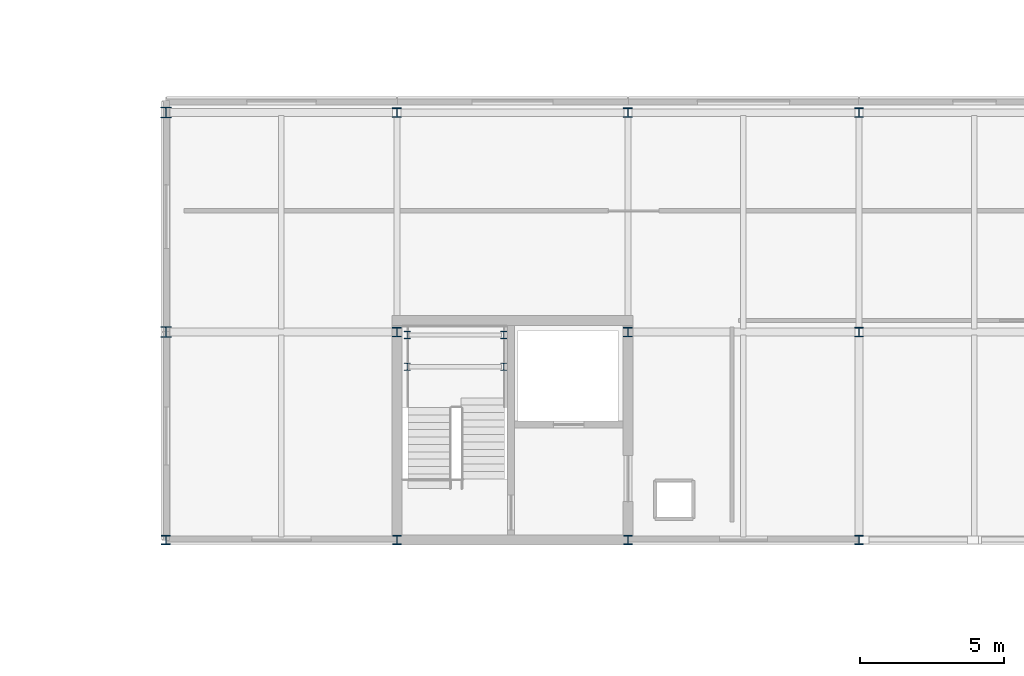
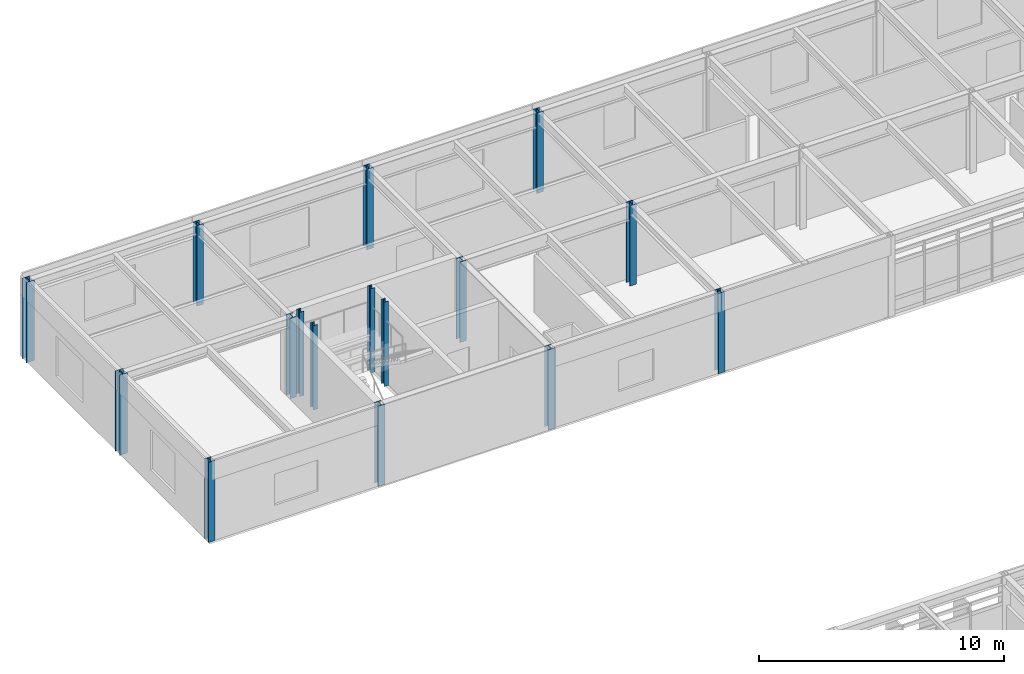
# One storey, part 4 of 45: 16 columns.
"""IFC4 building model written with IfcOpenShell, lengths in metres."""

from ifc_helpers import new_model, si_unit, direction, frame, origin, origin_2d, place, context, subcontext, project, spatial, i_section, extrude, material, material_profile, profile_set, type_object, element, save


model = new_model("IFC4")

# Units and contexts
model_context = context("Model", 3, precision=1e-05, world=origin(), true_north=direction((0.0, 1.0)))
body_context = subcontext(model_context, "Body", "Model", "MODEL_VIEW")
ifc_project = project(units=[si_unit("LENGTHUNIT", "METRE"), si_unit("AREAUNIT", "SQUARE_METRE"), si_unit("VOLUMEUNIT", "CUBIC_METRE"), si_unit("PLANEANGLEUNIT", "RADIAN"), si_unit("MASSUNIT", "GRAM", prefix="KILO")], contexts=[model_context])

# Site, building, storey
site_placement = place(None, origin())
site = spatial("IfcSite", under=ifc_project, at=site_placement, CompositionType="ELEMENT")
building_placement = place(site_placement, origin())
building = spatial("IfcBuilding", under=site, at=building_placement, Name="Zulena Civic Courthouse", CompositionType="ELEMENT")
storey_placement = place(building_placement, frame((0.0, 0.0, 29.39990234375)))
storey = spatial("IfcBuildingStorey", under=building, at=storey_placement, Name="L06", CompositionType="ELEMENT", Elevation=29.39990234375)

# Columns
ifc_material = material(Name="Steel ASTM A992 Grade 50", Category="steel")
ifc_material_profile_1 = material_profile(ifc_material, i_section(OverallWidth=0.2041015625, OverallDepth=0.257080078125, WebThickness=0.0087890625, FlangeThickness=0.015625, FilletRadius=0.0126953125, at=origin_2d()), Name="W10X45")
ifc_profile_set_1 = profile_set([ifc_material_profile_1], Name="Steel ASTM A992 Grade 50")
column_type_1 = type_object("IfcColumnType", Name="Col_W10X45", PredefinedType="COLUMN", material=ifc_profile_set_1)
for number, where, z_axis, x_axis, name in (
    (1, (20.360107421875, 52.0, 0.0), (0.0, 0.0, 1.0), (1.0, 0.0, 0.0), "col:lnd:K5A:L06:0:0"),
    (2, (23.699951171875, 52.0, 0.0), (0.0, 0.0, 1.0), (1.0, 0.0, 0.0), "col:lnd:K5A:L06:0:1"),
    (3, (20.360107421875, 53.10009765625, 0.0), (0.0, 0.0, 1.0), (1.0, 0.0, 0.0), "col:lnd:K5A:L06:1:0"),
    (4, (23.699951171875, 53.10009765625, 0.0), (0.0, 0.0, 1.0), (1.0, 0.0, 0.0), "col:lnd:K5A:L06:1:1"),
):
    element("IfcColumn", number, at=place(storey_placement, frame(where, z_axis=z_axis, x_axis=x_axis)), inside=storey, type_object=column_type_1, Name=name, PredefinedType="COLUMN", context=body_context, shape_type="SweptSolid", body=[
        extrude(i_section(OverallWidth=0.2041015625, OverallDepth=0.257080078125, WebThickness=0.0087890625, FlangeThickness=0.015625, FilletRadius=0.0126953125, at=origin_2d()), origin(), (0.0, 0.0, 1.0), 4.195068359375),
    ])
ifc_material_profile_2 = material_profile(ifc_material, i_section(OverallWidth=0.306884765625, OverallDepth=0.31396484375, WebThickness=0.011962890625, FlangeThickness=0.018798828125, FilletRadius=0.01513671875, at=origin_2d()), Name="W12X79")
ifc_profile_set_2 = profile_set([ifc_material_profile_2], Name="Steel ASTM A992 Grade 50")
column_type_2 = type_object("IfcColumnType", Name="Col_W12X79", PredefinedType="COLUMN", material=ifc_profile_set_2)
for number, where, z_axis, x_axis, name in (
    (5, (12.0, 46.0, 0.0), (0.0, 0.0, 1.0), (1.0, 0.0, 0.0), "col:V5:L06:12.0:46.0"),
    (6, (20.0, 46.0, 0.0), (0.0, 0.0, 1.0), (1.0, 0.0, 0.0), "col:V5:L06:20.0:46.0"),
    (7, (28.0, 46.0, 0.0), (0.0, 0.0, 1.0), (1.0, 0.0, 0.0), "col:V5:L06:28.0:46.0"),
    (8, (36.0, 46.0, 0.0), (0.0, 0.0, 1.0), (1.0, 0.0, 0.0), "col:V5:L06:36.0:46.0"),
):
    element("IfcColumn", number, at=place(storey_placement, frame(where, z_axis=z_axis, x_axis=x_axis)), inside=storey, type_object=column_type_2, Name=name, PredefinedType="COLUMN", context=body_context, shape_type="SweptSolid", body=[
        extrude(i_section(OverallWidth=0.306884765625, OverallDepth=0.31396484375, WebThickness=0.011962890625, FlangeThickness=0.018798828125, FilletRadius=0.01513671875, at=origin_2d()), origin(), (0.0, 0.0, 1.0), 4.0),
    ])
ifc_material_profile_3 = material_profile(ifc_material, i_section(OverallWidth=0.30908203125, OverallDepth=0.322998046875, WebThickness=0.013916015625, FlangeThickness=0.02294921875, FilletRadius=0.01513671875, at=origin_2d()), Name="W12X96")
ifc_profile_set_3 = profile_set([ifc_material_profile_3], Name="Steel ASTM A992 Grade 50")
column_type_3 = type_object("IfcColumnType", Name="Col_W12X96", PredefinedType="COLUMN", material=ifc_profile_set_3)
for number, where, z_axis, x_axis, name in (
    (9, (20.0, 53.199951171875, 0.0), (0.0, 0.0, 1.0), (1.0, 0.0, 0.0), "col:V5:L06:20.0:53.2"),
    (10, (20.0, 60.800048828125, 0.0), (0.0, 0.0, 1.0), (1.0, 0.0, 0.0), "col:V5:L06:20.0:60.8"),
    (11, (28.0, 53.199951171875, 0.0), (0.0, 0.0, 1.0), (1.0, 0.0, 0.0), "col:V5:L06:28.0:53.2"),
    (12, (28.0, 60.800048828125, 0.0), (0.0, 0.0, 1.0), (1.0, 0.0, 0.0), "col:V5:L06:28.0:60.8"),
    (13, (36.0, 53.199951171875, 0.0), (0.0, 0.0, 1.0), (1.0, 0.0, 0.0), "col:V5:L06:36.0:53.2"),
    (14, (36.0, 60.800048828125, 0.0), (0.0, 0.0, 1.0), (1.0, 0.0, 0.0), "col:V5:L06:36.0:60.8"),
):
    element("IfcColumn", number, at=place(storey_placement, frame(where, z_axis=z_axis, x_axis=x_axis)), inside=storey, type_object=column_type_3, Name=name, PredefinedType="COLUMN", context=body_context, shape_type="SweptSolid", body=[
        extrude(i_section(OverallWidth=0.30908203125, OverallDepth=0.322998046875, WebThickness=0.013916015625, FlangeThickness=0.02294921875, FilletRadius=0.01513671875, at=origin_2d()), origin(), (0.0, 0.0, 1.0), 4.0),
    ])
ifc_material_profile_4 = material_profile(ifc_material, i_section(OverallWidth=0.3701171875, OverallDepth=0.360107421875, WebThickness=0.01220703125, FlangeThickness=0.019775390625, FilletRadius=0.01513671875, at=origin_2d()), Name="W14X99")
ifc_profile_set_4 = profile_set([ifc_material_profile_4], Name="Steel ASTM A992 Grade 50")
column_type_4 = type_object("IfcColumnType", Name="Col_W14X99", PredefinedType="COLUMN", material=ifc_profile_set_4)
for number, where, z_axis, x_axis, name in (
    (15, (12.0, 53.199951171875, 0.0), (0.0, 0.0, 1.0), (1.0, 0.0, 0.0), "col:V5:L06:12.0:53.2"),
    (16, (12.0, 60.800048828125, 0.0), (0.0, 0.0, 1.0), (1.0, 0.0, 0.0), "col:V5:L06:12.0:60.8"),
):
    element("IfcColumn", number, at=place(storey_placement, frame(where, z_axis=z_axis, x_axis=x_axis)), inside=storey, type_object=column_type_4, Name=name, PredefinedType="COLUMN", context=body_context, shape_type="SweptSolid", body=[
        extrude(i_section(OverallWidth=0.3701171875, OverallDepth=0.360107421875, WebThickness=0.01220703125, FlangeThickness=0.019775390625, FilletRadius=0.01513671875, at=origin_2d()), origin(), (0.0, 0.0, 1.0), 4.0),
    ])

save(model, "model.ifc")
